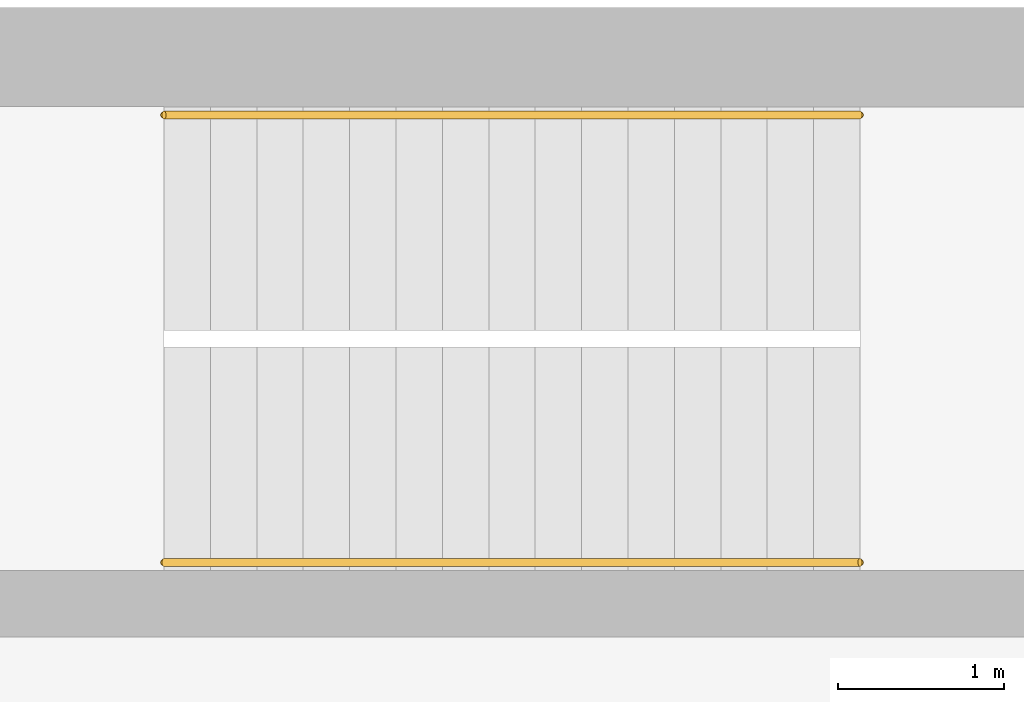
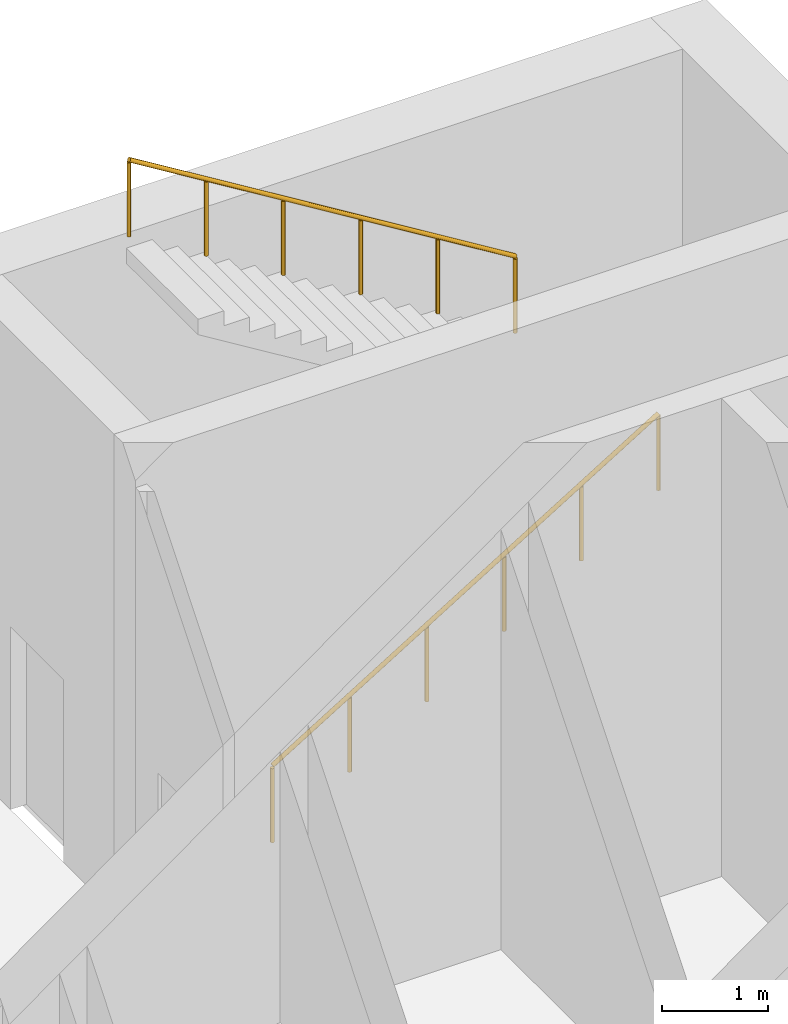
# One storey, part 12 of 14: 2 railings.
"""IFC4 building model written with IfcOpenShell, lengths in metres."""

from ifc_helpers import new_model, si_unit, direction, frame, origin, origin_2d, place, context, subcontext, project, spatial, circle, extrude, material, type_object, element, save


model = new_model("IFC4")

# Units and contexts
model_context = context("Model", 3, precision=1e-05, world=origin(), true_north=direction((0.0, 1.0)))
body_context = subcontext(model_context, "Body", "Model", "MODEL_VIEW")
ifc_project = project(units=[si_unit("LENGTHUNIT", "METRE"), si_unit("AREAUNIT", "SQUARE_METRE"), si_unit("VOLUMEUNIT", "CUBIC_METRE"), si_unit("PLANEANGLEUNIT", "RADIAN"), si_unit("MASSUNIT", "GRAM", prefix="KILO")], contexts=[model_context])

# Site, building, storey
site_placement = place(None, origin())
site = spatial("IfcSite", under=ifc_project, at=site_placement, CompositionType="ELEMENT")
building_placement = place(site_placement, origin())
building = spatial("IfcBuilding", under=site, at=building_placement, Name="Skarvind Civic Tower", CompositionType="ELEMENT")
storey_placement = place(building_placement, frame((0.0, 0.0, 236.0)))
storey = spatial("IfcBuildingStorey", under=building, at=storey_placement, Name="L56", CompositionType="ELEMENT", Elevation=236.0)

# Railings
ifc_material = material(Name="Painted steel handrail", Category="steel")
railing_type = type_object("IfcRailingType", Name="Stair handrail 900", PredefinedType="HANDRAIL", material=ifc_material)
railing_1_placement = place(storey_placement, frame((101.35009765625, 135.64990234375, 0.171875)))
element("IfcRailing", 1, at=railing_1_placement, inside=storey, type_object=railing_type, Name="Stair handrail", PredefinedType="HANDRAIL", context=body_context, shape_type="SweptSolid", body=[
    extrude(circle(Radius=0.02392578125, at=origin_2d()), frame((0.0, 0.0, 0.8759765625), z_axis=(0.852242915053, 0.0, 0.523146264196), x_axis=(0.0, 1.0, 0.0)), (0.0, 0.0, 1.0), 4.92822265625),
    extrude(circle(Radius=0.02099609375, at=origin_2d()), origin(), (0.0, 0.0, 1.0), 0.851806640625),
    extrude(circle(Radius=0.02099609375, at=origin_2d()), frame((0.840087890625, 0.0, 0.515625)), (0.0, 0.0, 1.0), 0.851806640625),
    extrude(circle(Radius=0.02099609375, at=origin_2d()), frame((1.679931640625, 0.0, 1.03125)), (0.0, 0.0, 1.0), 0.851806640625),
    extrude(circle(Radius=0.02099609375, at=origin_2d()), frame((2.52001953125, 0.0, 1.546875)), (0.0, 0.0, 1.0), 0.851806640625),
    extrude(circle(Radius=0.02099609375, at=origin_2d()), frame((3.35986328125, 0.0, 2.0625)), (0.0, 0.0, 1.0), 0.851806640625),
    extrude(circle(Radius=0.02099609375, at=origin_2d()), frame((4.199951171875, 0.0, 2.578125)), (0.0, 0.0, 1.0), 0.851806640625),
])
railing_2_placement = place(storey_placement, frame((105.550048828125, 138.35009765625, 2.921875)))
element("IfcRailing", 2, at=railing_2_placement, inside=storey, type_object=railing_type, Name="Stair handrail", PredefinedType="HANDRAIL", context=body_context, shape_type="SweptSolid", body=[
    extrude(circle(Radius=0.02392578125, at=origin_2d()), frame((0.0, 0.0, 0.8759765625), z_axis=(-0.852242915053, 0.0, 0.523146264196), x_axis=(0.0, -1.0, 0.0)), (0.0, 0.0, 1.0), 4.92822265625),
    extrude(circle(Radius=0.02099609375, at=origin_2d()), origin(), (0.0, 0.0, 1.0), 0.851806640625),
    extrude(circle(Radius=0.02099609375, at=origin_2d()), frame((-0.840087890625, 0.0, 0.515625)), (0.0, 0.0, 1.0), 0.851806640625),
    extrude(circle(Radius=0.02099609375, at=origin_2d()), frame((-1.679931640625, 0.0, 1.03125)), (0.0, 0.0, 1.0), 0.851806640625),
    extrude(circle(Radius=0.02099609375, at=origin_2d()), frame((-2.52001953125, 0.0, 1.546875)), (0.0, 0.0, 1.0), 0.851806640625),
    extrude(circle(Radius=0.02099609375, at=origin_2d()), frame((-3.35986328125, 0.0, 2.0625)), (0.0, 0.0, 1.0), 0.851806640625),
    extrude(circle(Radius=0.02099609375, at=origin_2d()), frame((-4.199951171875, 0.0, 2.578125)), (0.0, 0.0, 1.0), 0.851806640625),
])

save(model, "model.ifc")
